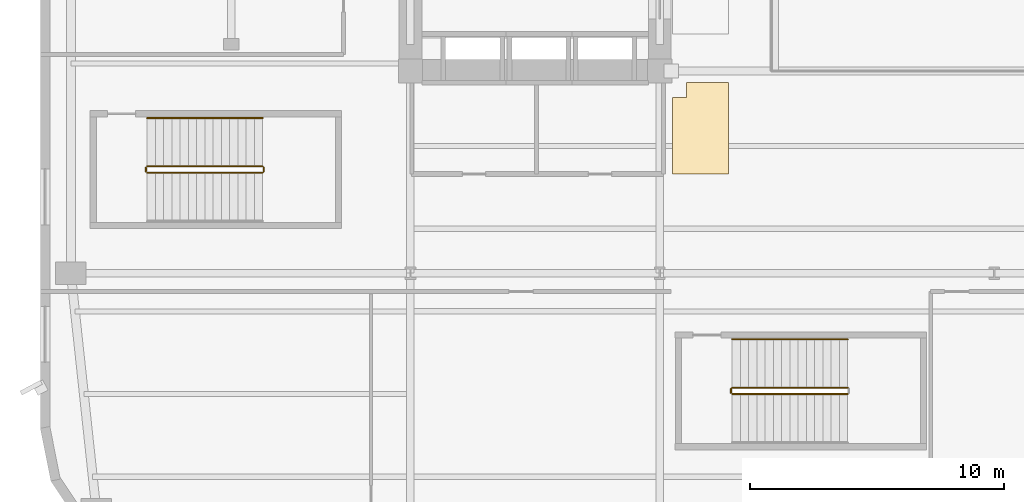
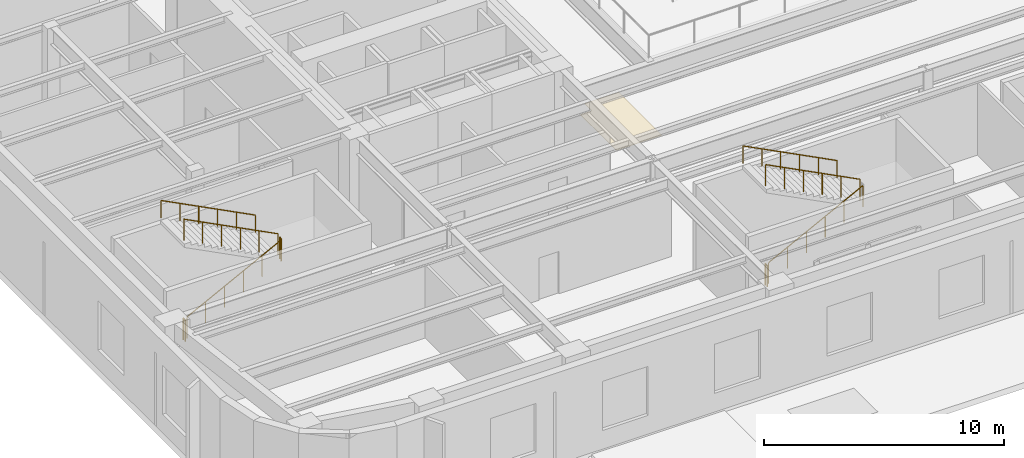
# One storey, part 14 of 24: 9 railings, 1 covering.
"""IFC4 building model written with IfcOpenShell, lengths in metres."""

import ifcopenshell
import ifcopenshell.guid

model = None  # the IFC model being written
_history = None  # IfcOwnerHistory: only IFC2X3 demands one
_inside = {}  # id of a spatial element -> (the spatial element, [elements in it])
_under = {}  # id of a project, library or spatial element -> (it, [spatial elements below it])
_declared = {}  # id of a project -> (the project, [libraries it declares])
_typed = {}  # id of a type object -> (the type object, [elements of that type])
_made_of = {}  # id of a material, layer set ... -> (it, [elements and type objects made of it])


def new_model(schema):
    """Start an empty IFC model of exactly this schema.

    Asked for "IFC4X3", IfcOpenShell would pick the latest addendum, in which some entities
    have other attributes; the version numbers below select the first issue.
    IFC2X3 requires an IfcOwnerHistory on every rooted entity: one is made here for all.
    """
    global model, _history
    if schema == "IFC4X3":
        model = ifcopenshell.file(schema_version=(4, 3, 0, 0))
    else:
        model = ifcopenshell.file(schema=schema)
    _inside.clear()
    _under.clear()
    _declared.clear()
    _typed.clear()
    _made_of.clear()
    _history = None
    if model.schema == "IFC2X3":
        org = make("IfcOrganization", Name="unknown")
        user = make(
            "IfcPersonAndOrganization",
            ThePerson=make("IfcPerson", FamilyName="unknown"),
            TheOrganization=org,
        )
        app = make(
            "IfcApplication",
            ApplicationDeveloper=org,
            Version="unknown",
            ApplicationFullName="unknown",
            ApplicationIdentifier="unknown",
        )
        _history = make(
            "IfcOwnerHistory",
            OwningUser=user,
            OwningApplication=app,
            ChangeAction="ADDED",
            CreationDate=0,
        )
    return model


def make(cls, **values):
    """One entity of the class cls with the attributes given. An attribute that is None is left unset."""
    return model.create_entity(
        cls, **{name: value for name, value in values.items() if value is not None}
    )


def rooted(cls, **values):
    """An entity with a GlobalId (a new one), such as an element, a storey or a relation."""
    return make(cls, GlobalId=ifcopenshell.guid.new(), OwnerHistory=_history, **values)


def si_unit(unit_type, name, prefix=None):
    """IfcSIUnit, for example si_unit("LENGTHUNIT", "METRE", prefix="MILLI")."""
    return make("IfcSIUnit", UnitType=unit_type, Prefix=prefix, Name=name)


def assignment(units):
    """IfcUnitAssignment: the units of a project."""
    return None if units is None else make("IfcUnitAssignment", Units=units)


def point(xyz):
    """IfcCartesianPoint."""
    return None if xyz is None else make("IfcCartesianPoint", Coordinates=xyz)


def direction(xyz):
    """IfcDirection."""
    return None if xyz is None else make("IfcDirection", DirectionRatios=xyz)


def frame(location, z_axis=None, x_axis=None):
    """IfcAxis2Placement3D, a coordinate frame: its origin and axes. An axis left out is left unset."""
    return make(
        "IfcAxis2Placement3D",
        Location=point(location),
        Axis=direction(z_axis),
        RefDirection=direction(x_axis),
    )


def frame_2d(location, x_axis=None):
    """IfcAxis2Placement2D, a coordinate frame in the plane: its origin and x axis."""
    return make(
        "IfcAxis2Placement2D", Location=point(location), RefDirection=direction(x_axis)
    )


def origin():
    """The frame at (0, 0, 0) with its axes left unset."""
    return frame((0.0, 0.0, 0.0))


def origin_2d():
    """The frame at (0, 0) in the plane with its x axis left unset."""
    return frame_2d((0.0, 0.0))


def place(relative_to, where):
    """IfcLocalPlacement: puts the frame where relative to a parent placement (None: the world)."""
    return make(
        "IfcLocalPlacement", PlacementRelTo=relative_to, RelativePlacement=where
    )


def context(
    kind, dimensions, precision=None, world=None, true_north=None, identifier=None
):
    """IfcGeometricRepresentationContext, for example the 3D "Model" context."""
    return make(
        "IfcGeometricRepresentationContext",
        ContextIdentifier=identifier,
        ContextType=kind,
        CoordinateSpaceDimension=dimensions,
        Precision=precision,
        WorldCoordinateSystem=world,
        TrueNorth=true_north,
    )


def subcontext(parent, identifier, kind, view, scale=None):
    """IfcGeometricRepresentationSubContext, for example "Body" below "Model"."""
    return make(
        "IfcGeometricRepresentationSubContext",
        ContextIdentifier=identifier,
        ContextType=kind,
        ParentContext=parent,
        TargetScale=scale,
        TargetView=view,
    )


def project(units=None, contexts=None):
    """IfcProject with its units and contexts."""
    return rooted(
        "IfcProject",
        Name="project",
        RepresentationContexts=contexts,
        UnitsInContext=assignment(units),
    )


def spatial(cls, under=None, at=None, **own):
    """A site, building, storey or space (cls), placed at a placement, below another one or the project."""
    s = rooted(cls, ObjectPlacement=at, **own)
    if under is not None:
        _under.setdefault(under.id(), (under, []))[1].append(s)
    return s


def polyline(points):
    """IfcPolyline through the points."""
    return make("IfcPolyline", Points=[point(p) for p in points])


def profile(cls, at=None, kind="AREA", **sizes):
    """A parametric profile (cls). Its sizes go by their IFC names, for example OverallWidth=200.0."""
    return make(cls, ProfileType=kind, Position=at, **sizes)


def circle(**sizes):
    """IfcCircleProfileDef."""
    return profile("IfcCircleProfileDef", **sizes)


def outline(outer, holes=None, kind="AREA"):
    """IfcArbitraryClosedProfileDef: a profile drawn as a closed curve; with holes, ...WithVoids."""
    if holes is None:
        return make("IfcArbitraryClosedProfileDef", ProfileType=kind, OuterCurve=outer)
    return make(
        "IfcArbitraryProfileDefWithVoids",
        ProfileType=kind,
        OuterCurve=outer,
        InnerCurves=holes,
    )


def extrude(swept, where, along, depth):
    """IfcExtrudedAreaSolid: the profile swept, set in the frame where, extruded along a direction by depth."""
    return make(
        "IfcExtrudedAreaSolid",
        SweptArea=swept,
        Position=where,
        ExtrudedDirection=direction(along),
        Depth=depth,
    )


def shape(context_of_items, identifier, shape_type, items):
    """IfcShapeRepresentation: the items that make up one representation, for example the "Body"."""
    return make(
        "IfcShapeRepresentation",
        ContextOfItems=context_of_items,
        RepresentationIdentifier=identifier,
        RepresentationType=shape_type,
        Items=items,
    )


def material(Name=None, Category=None):
    """IfcMaterial."""
    return make("IfcMaterial", Name=Name, Category=Category)


def layer(
    of_material, thickness, ventilated=None, Name=None, Category=None, Priority=None
):
    """IfcMaterialLayer: one layer of a wall or slab, of a material (None: an air gap)."""
    return make(
        "IfcMaterialLayer",
        Material=of_material,
        LayerThickness=thickness,
        IsVentilated=ventilated,
        Name=Name,
        Category=Category,
        Priority=Priority,
    )


def layer_set(layers, Name=None):
    """IfcMaterialLayerSet."""
    return make("IfcMaterialLayerSet", MaterialLayers=layers, LayerSetName=Name)


def made_of(thing, what):
    """Note that an element or type object is made of a material, layer set ...; save() writes the relation."""
    if what is not None:
        _made_of.setdefault(what.id(), (what, []))[1].append(thing)
    return thing


def type_object(cls, material=None, **own):
    """A type object (cls), such as IfcWallType, which elements share."""
    return made_of(rooted(cls, **own), material)


def element(
    cls,
    number,
    at=None,
    inside=None,
    cuts=None,
    type_object=None,
    material=None,
    context=None,
    identifier="Body",
    shape_type=None,
    held_by="IfcProductDefinitionShape",
    body=None,
    shapes=None,
    **own,
):
    """One element of the class cls, such as IfcWall. Its Tag is "e" and its number.

    at: its placement. inside: the storey or other place that contains it. cuts: it is an
    opening in that element (IfcRelVoidsElement). A single representation is given by context,
    identifier, shape_type and body (its items); several are given by shapes. held_by: the class
    of the entity that holds the representations. save() writes the other relations.
    """
    e = rooted(cls, Tag="e%d" % number, ObjectPlacement=at, **own)
    if body is not None:
        shapes = [shape(context, identifier, shape_type, body)]
    if shapes is not None:
        e.Representation = make(held_by, Representations=shapes)
    if inside is not None:
        _inside.setdefault(inside.id(), (inside, []))[1].append(e)
    if cuts is not None:
        rooted(
            "IfcRelVoidsElement", RelatingBuildingElement=cuts, RelatedOpeningElement=e
        )
    if type_object is not None:
        _typed.setdefault(type_object.id(), (type_object, []))[1].append(e)
    return made_of(e, material)


def aggregate(whole, parts):
    """IfcRelAggregates: a whole, such as a stair, and the parts it consists of."""
    return rooted("IfcRelAggregates", RelatingObject=whole, RelatedObjects=parts)


def save(model, path):
    """Write the relations noted so far, then the file.

    IfcRelAggregates (storeys below a building ...), IfcRelContainedInSpatialStructure (elements
    in a storey), IfcRelDefinesByType, IfcRelAssociatesMaterial and IfcRelDeclares: one each for
    every whole, place, type object, material and project.
    """
    for whole, parts in _under.values():
        aggregate(whole, parts)
    for where, things in _inside.values():
        rooted(
            "IfcRelContainedInSpatialStructure",
            RelatedElements=things,
            RelatingStructure=where,
        )
    for kind, things in _typed.values():
        rooted("IfcRelDefinesByType", RelatedObjects=things, RelatingType=kind)
    for what, things in _made_of.values():
        rooted("IfcRelAssociatesMaterial", RelatedObjects=things, RelatingMaterial=what)
    for by, libraries in _declared.values():
        rooted("IfcRelDeclares", RelatingContext=by, RelatedDefinitions=libraries)
    model.write(path)


model = new_model("IFC4")

# Units and contexts
model_context = context("Model", 3, precision=1e-05, world=origin(), true_north=direction((0.0, 1.0)))
body_context = subcontext(model_context, "Body", "Model", "MODEL_VIEW")
ifc_project = project(units=[si_unit("LENGTHUNIT", "METRE"), si_unit("AREAUNIT", "SQUARE_METRE"), si_unit("VOLUMEUNIT", "CUBIC_METRE"), si_unit("PLANEANGLEUNIT", "RADIAN"), si_unit("MASSUNIT", "GRAM", prefix="KILO")], contexts=[model_context])

# Site, building, storey
site_placement = place(None, origin())
site = spatial("IfcSite", under=ifc_project, at=site_placement, CompositionType="ELEMENT")
building_placement = place(site_placement, origin())
building = spatial("IfcBuilding", under=site, at=building_placement, Name="Kolvaren Arena Tower", CompositionType="ELEMENT")
storey_placement = place(building_placement, frame((0.0, 0.0, 8.0)))
storey = spatial("IfcBuildingStorey", under=building, at=storey_placement, Name="L01", CompositionType="ELEMENT", Elevation=8.0)

# Covering
ifc_material_1 = material(Name="Mineral fibre acoustic ceiling tile", Category="gypsum")
ifc_layer = layer(ifc_material_1, 0.02490234375)
ifc_layer_set = layer_set([ifc_layer], Name="Mineral fibre acoustic ceiling tile")
covering_type = type_object("IfcCoveringType", Name="CEIL-ACT-1", PredefinedType="CEILING", material=ifc_layer_set)
covering_placement = place(storey_placement, frame((0.0, 0.0, 2.52001953125)))
element("IfcCovering", 1, at=covering_placement, inside=storey, type_object=covering_type, Name="Suspended Ceiling (L01)", PredefinedType="CEILING", context=body_context, shape_type="SweptSolid", body=[
    extrude(outline(polyline([(27.050048828125, 19.0), (27.050048828125, 15.39990234375), (24.85009765625, 15.39990234375), (24.85009765625, 18.39990234375), (25.39990234375, 18.39990234375), (25.39990234375, 19.0), (27.050048828125, 19.0)])), origin(), (0.0, 0.0, 1.0), 0.02490234375),
])

# Railings
ifc_material_2 = material(Name="Painted galvanized steel", Category="steel")
railing_type_1 = type_object("IfcRailingType", Name="GUARD-ST-110", PredefinedType="GUARDRAIL", material=ifc_material_2)
railing_1_placement = place(storey_placement, frame((4.199951171875, 15.449951171875, 0.166748046875)))
element("IfcRailing", 2, at=railing_1_placement, inside=storey, type_object=railing_type_1, Name="L01 ST-A1 stair guard 1", PredefinedType="GUARDRAIL", context=body_context, shape_type="SweptSolid", body=[
    extrude(circle(Radius=0.02392578125, at=origin_2d()), frame((0.0, 0.0, 1.076171875), z_axis=(0.889257211316, 0.0, 0.457407490234), x_axis=(0.0, 1.0, 0.0)), (0.0, 0.0, 1.0), 5.10107421875),
    extrude(circle(Radius=0.02099609375, at=origin_2d()), origin(), (0.0, 0.0, 1.0), 1.052001953125),
    extrude(circle(Radius=0.02099609375, at=origin_2d()), frame((0.9072265625, 0.0, 0.466552734375)), (0.0, 0.0, 1.0), 1.052001953125),
    extrude(circle(Radius=0.02099609375, at=origin_2d()), frame((1.814453125, 0.0, 0.933349609375)), (0.0, 0.0, 1.0), 1.052001953125),
    extrude(circle(Radius=0.02099609375, at=origin_2d()), frame((2.7216796875, 0.0, 1.39990234375)), (0.0, 0.0, 1.0), 1.052001953125),
    extrude(circle(Radius=0.02099609375, at=origin_2d()), frame((3.62890625, 0.0, 1.86669921875)), (0.0, 0.0, 1.0), 1.052001953125),
    extrude(circle(Radius=0.02099609375, at=origin_2d()), frame((4.5361328125, 0.0, 2.333251953125)), (0.0, 0.0, 1.0), 1.052001953125),
])
railing_2_placement = place(storey_placement, frame((8.785888671875, 15.5, 2.5)))
element("IfcRailing", 3, at=railing_2_placement, inside=storey, type_object=railing_type_1, Name="L01 ST-A1 stair guard 2", PredefinedType="GUARDRAIL", context=body_context, shape_type="SweptSolid", body=[
    extrude(circle(Radius=0.02392578125, at=origin_2d()), frame((0.0, 0.0, 1.076171875), z_axis=(0.0, 1.0, 0.0), x_axis=(-1.0, 0.0, 0.0)), (0.0, 0.0, 1.0), 0.14990234375),
    extrude(circle(Radius=0.02099609375, at=origin_2d()), origin(), (0.0, 0.0, 1.0), 1.052001953125),
    extrude(circle(Radius=0.02099609375, at=origin_2d()), frame((0.0, 0.14990234375, 0.0)), (0.0, 0.0, 1.0), 1.052001953125),
])
railing_3_placement = place(storey_placement, frame((8.736083984375, 15.699951171875, 2.666748046875)))
element("IfcRailing", 4, at=railing_3_placement, inside=storey, type_object=railing_type_1, Name="L01 ST-A1 stair guard 3", PredefinedType="GUARDRAIL", context=body_context, shape_type="SweptSolid", body=[
    extrude(circle(Radius=0.02392578125, at=origin_2d()), frame((0.0, 0.0, 1.076171875), z_axis=(-0.889257211316, 0.0, 0.457407490234), x_axis=(0.0, -1.0, 0.0)), (0.0, 0.0, 1.0), 5.10107421875),
    extrude(circle(Radius=0.02099609375, at=origin_2d()), origin(), (0.0, 0.0, 1.0), 1.052001953125),
    extrude(circle(Radius=0.02099609375, at=origin_2d()), frame((-0.9072265625, 0.0, 0.466552734375)), (0.0, 0.0, 1.0), 1.052001953125),
    extrude(circle(Radius=0.02099609375, at=origin_2d()), frame((-1.814453125, 0.0, 0.933349609375)), (0.0, 0.0, 1.0), 1.052001953125),
    extrude(circle(Radius=0.02099609375, at=origin_2d()), frame((-2.7216796875, 0.0, 1.39990234375)), (0.0, 0.0, 1.0), 1.052001953125),
    extrude(circle(Radius=0.02099609375, at=origin_2d()), frame((-3.62890625, 0.0, 1.86669921875)), (0.0, 0.0, 1.0), 1.052001953125),
    extrude(circle(Radius=0.02099609375, at=origin_2d()), frame((-4.5361328125, 0.0, 2.333251953125)), (0.0, 0.0, 1.0), 1.052001953125),
])
railing_4_placement = place(storey_placement, frame((4.14990234375, 15.5, 0.0)))
element("IfcRailing", 5, at=railing_4_placement, inside=storey, type_object=railing_type_1, Name="L01 ST-A1 stair guard 4", PredefinedType="GUARDRAIL", context=body_context, shape_type="SweptSolid", body=[
    extrude(circle(Radius=0.02392578125, at=origin_2d()), frame((0.0, 0.0, 1.076171875), z_axis=(0.0, 1.0, 0.0), x_axis=(-1.0, 0.0, 0.0)), (0.0, 0.0, 1.0), 0.14990234375),
    extrude(circle(Radius=0.02099609375, at=origin_2d()), origin(), (0.0, 0.0, 1.0), 1.052001953125),
    extrude(circle(Radius=0.02099609375, at=origin_2d()), frame((0.0, 0.14990234375, 0.0)), (0.0, 0.0, 1.0), 1.052001953125),
])
railing_5_placement = place(storey_placement, frame((27.199951171875, 6.75, 0.166748046875)))
element("IfcRailing", 6, at=railing_5_placement, inside=storey, type_object=railing_type_1, Name="L01 ST-A2 stair guard 1", PredefinedType="GUARDRAIL", context=body_context, shape_type="SweptSolid", body=[
    extrude(circle(Radius=0.02392578125, at=origin_2d()), frame((0.0, 0.0, 1.076171875), z_axis=(0.889257211316, 0.0, 0.457407490234), x_axis=(0.0, 1.0, 0.0)), (0.0, 0.0, 1.0), 5.10107421875),
    extrude(circle(Radius=0.02099609375, at=origin_2d()), origin(), (0.0, 0.0, 1.0), 1.052001953125),
    extrude(circle(Radius=0.02099609375, at=origin_2d()), frame((0.9072265625, 0.0, 0.466552734375)), (0.0, 0.0, 1.0), 1.052001953125),
    extrude(circle(Radius=0.02099609375, at=origin_2d()), frame((1.814453125, 0.0, 0.933349609375)), (0.0, 0.0, 1.0), 1.052001953125),
    extrude(circle(Radius=0.02099609375, at=origin_2d()), frame((2.7216796875, 0.0, 1.39990234375)), (0.0, 0.0, 1.0), 1.052001953125),
    extrude(circle(Radius=0.02099609375, at=origin_2d()), frame((3.62890625, 0.0, 1.86669921875)), (0.0, 0.0, 1.0), 1.052001953125),
    extrude(circle(Radius=0.02099609375, at=origin_2d()), frame((4.5361328125, 0.0, 2.333251953125)), (0.0, 0.0, 1.0), 1.052001953125),
])
railing_6_placement = place(storey_placement, frame((31.736083984375, 7.0, 2.666748046875)))
element("IfcRailing", 7, at=railing_6_placement, inside=storey, type_object=railing_type_1, Name="L01 ST-A2 stair guard 3", PredefinedType="GUARDRAIL", context=body_context, shape_type="SweptSolid", body=[
    extrude(circle(Radius=0.02392578125, at=origin_2d()), frame((0.0, 0.0, 1.076171875), z_axis=(-0.889257211316, 0.0, 0.457407490234), x_axis=(0.0, -1.0, 0.0)), (0.0, 0.0, 1.0), 5.10107421875),
    extrude(circle(Radius=0.02099609375, at=origin_2d()), origin(), (0.0, 0.0, 1.0), 1.052001953125),
    extrude(circle(Radius=0.02099609375, at=origin_2d()), frame((-0.9072265625, 0.0, 0.466552734375)), (0.0, 0.0, 1.0), 1.052001953125),
    extrude(circle(Radius=0.02099609375, at=origin_2d()), frame((-1.814453125, 0.0, 0.933349609375)), (0.0, 0.0, 1.0), 1.052001953125),
    extrude(circle(Radius=0.02099609375, at=origin_2d()), frame((-2.7216796875, 0.0, 1.39990234375)), (0.0, 0.0, 1.0), 1.052001953125),
    extrude(circle(Radius=0.02099609375, at=origin_2d()), frame((-3.62890625, 0.0, 1.86669921875)), (0.0, 0.0, 1.0), 1.052001953125),
    extrude(circle(Radius=0.02099609375, at=origin_2d()), frame((-4.5361328125, 0.0, 2.333251953125)), (0.0, 0.0, 1.0), 1.052001953125),
])
railing_7_placement = place(storey_placement, frame((27.14990234375, 6.800048828125, 0.0)))
element("IfcRailing", 8, at=railing_7_placement, inside=storey, type_object=railing_type_1, Name="L01 ST-A2 stair guard 4", PredefinedType="GUARDRAIL", context=body_context, shape_type="SweptSolid", body=[
    extrude(circle(Radius=0.02392578125, at=origin_2d()), frame((0.0, 0.0, 1.076171875), z_axis=(0.0, 1.0, 0.0), x_axis=(-1.0, 0.0, 0.0)), (0.0, 0.0, 1.0), 0.14990234375),
    extrude(circle(Radius=0.02099609375, at=origin_2d()), origin(), (0.0, 0.0, 1.0), 1.052001953125),
    extrude(circle(Radius=0.02099609375, at=origin_2d()), frame((0.0, 0.14990234375, 0.0)), (0.0, 0.0, 1.0), 1.052001953125),
])
ifc_material_3 = material(Name="Brushed stainless steel handrail", Category="steel")
railing_type_2 = type_object("IfcRailingType", Name="HRAIL-900", PredefinedType="HANDRAIL", material=ifc_material_3)
for number, where, name in (
    (9, (8.736083984375, 17.60009765625, 2.666748046875), "L01 ST-A1 stair handrail 2"),
    (10, (31.736083984375, 8.89990234375, 2.666748046875), "L01 ST-A2 stair handrail 2"),
):
    element("IfcRailing", number, at=place(storey_placement, frame(where)), inside=storey, type_object=railing_type_2, Name=name, PredefinedType="HANDRAIL", context=body_context, shape_type="SweptSolid", body=[
        extrude(circle(Radius=0.02392578125, at=origin_2d()), frame((0.0, 0.0, 0.8759765625), z_axis=(-0.889257211316, 0.0, 0.457407490234), x_axis=(0.0, -1.0, 0.0)), (0.0, 0.0, 1.0), 5.10107421875),
        extrude(circle(Radius=0.02099609375, at=origin_2d()), origin(), (0.0, 0.0, 1.0), 0.851806640625),
        extrude(circle(Radius=0.02099609375, at=origin_2d()), frame((-0.9072265625, 0.0, 0.466552734375)), (0.0, 0.0, 1.0), 0.851806640625),
        extrude(circle(Radius=0.02099609375, at=origin_2d()), frame((-1.814453125, 0.0, 0.933349609375)), (0.0, 0.0, 1.0), 0.851806640625),
        extrude(circle(Radius=0.02099609375, at=origin_2d()), frame((-2.7216796875, 0.0, 1.39990234375)), (0.0, 0.0, 1.0), 0.851806640625),
        extrude(circle(Radius=0.02099609375, at=origin_2d()), frame((-3.62890625, 0.0, 1.86669921875)), (0.0, 0.0, 1.0), 0.851806640625),
        extrude(circle(Radius=0.02099609375, at=origin_2d()), frame((-4.5361328125, 0.0, 2.333251953125)), (0.0, 0.0, 1.0), 0.851806640625),
    ])

save(model, "model.ifc")
